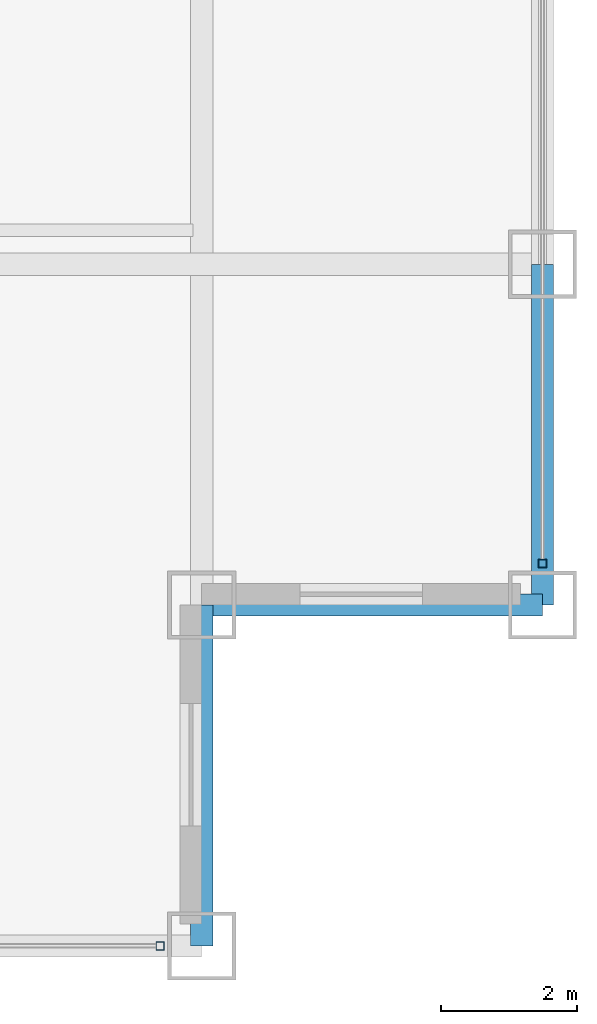
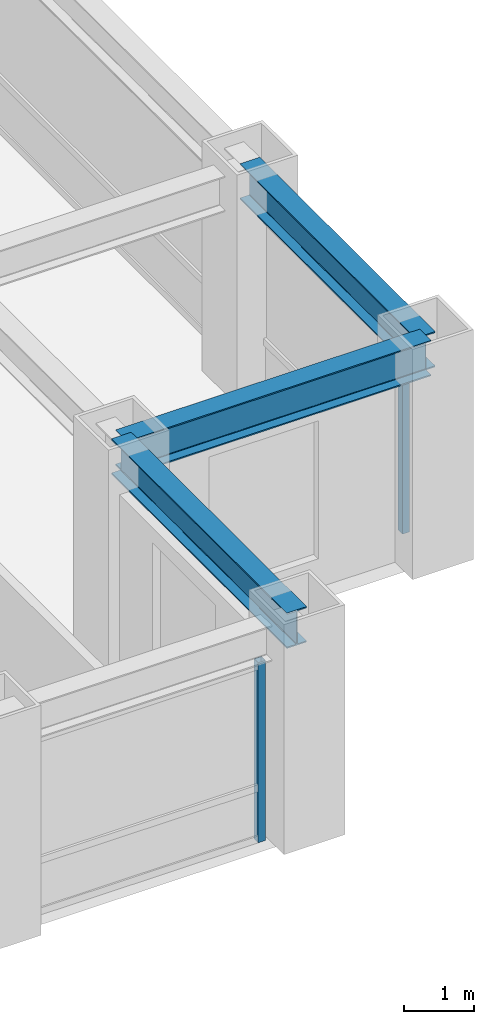
# One storey, part 8 of 25: 3 beams, 2 members, 2 elements without a shape of their own.
"""IFC4 building model written with IfcOpenShell, lengths in metres."""

from ifc_helpers import new_model, si_unit, direction, frame, origin, origin_2d, place, context, subcontext, project, spatial, hollow_rectangle, i_section, extrude, source, transform, mapped, material, material_profile, profile_set, type_object, element, aggregate, save


model = new_model("IFC4")

# Units and contexts
model_context = context("Model", 3, precision=1e-05, world=origin(), true_north=direction((0.0, 1.0)))
body_context = subcontext(model_context, "Body", "Model", "MODEL_VIEW")
ifc_project = project(units=[si_unit("LENGTHUNIT", "METRE"), si_unit("AREAUNIT", "SQUARE_METRE"), si_unit("VOLUMEUNIT", "CUBIC_METRE"), si_unit("PLANEANGLEUNIT", "RADIAN"), si_unit("MASSUNIT", "GRAM", prefix="KILO")], contexts=[model_context])

# Site, building, storey
site_placement = place(None, origin())
site = spatial("IfcSite", under=ifc_project, at=site_placement, CompositionType="ELEMENT")
building_placement = place(site_placement, origin())
building = spatial("IfcBuilding", under=site, at=building_placement, Name="Khorayat Bourse Tower", CompositionType="ELEMENT")
storey_placement = place(building_placement, frame((0.0, 0.0, 231.10009765625)))
storey = spatial("IfcBuildingStorey", under=building, at=storey_placement, Name="L54", CompositionType="ELEMENT", Elevation=231.10009765625)

# Beams
ifc_material_1 = material(Name="Steel ASTM A992 Grade 50", Category="steel")
ifc_material_profile_1 = material_profile(ifc_material_1, i_section(OverallWidth=0.324951171875, OverallDepth=0.615966796875, WebThickness=0.013916015625, FlangeThickness=0.021484375, FilletRadius=0.01611328125, at=origin_2d()), Name="W610X174")
ifc_profile_set_1 = profile_set([ifc_material_profile_1], Name="Steel ASTM A992 Grade 50")
beam_type = type_object("IfcBeamType", Name="BM-SPAN-610", PredefinedType="SPANDREL", material=ifc_profile_set_1)
shared_shape_1 = source(origin(), body_context, "Body", "SweptSolid", [
    extrude(i_section(OverallWidth=0.324951171875, OverallDepth=0.615966796875, WebThickness=0.013916015625, FlangeThickness=0.021484375, FilletRadius=0.01611328125, at=origin_2d()), origin(), (0.0, 0.0, 1.0), 5.0),
])
for number, where, z_axis, x_axis, name in (
    (1, (25.0, -30.0, 3.471923828125), (0.0, 1.0, 0.0), (-1.0, 0.0, 0.0), "L54 BM-SPAN-610 BM-L54-SPN-032"),
    (2, (25.0, -25.0, 3.471923828125), (1.0, 0.0, 0.0), (0.0, 1.0, 0.0), "L54 BM-SPAN-610 BM-L54-SPN-033"),
    (3, (30.0, -25.0, 3.471923828125), (0.0, 1.0, 0.0), (-1.0, 0.0, 0.0), "L54 BM-SPAN-610 BM-L54-SPN-034"),
):
    element("IfcBeam", number, at=place(storey_placement, frame(where, z_axis=z_axis, x_axis=x_axis)), inside=storey, type_object=beam_type, Name=name, PredefinedType="SPANDREL", context=body_context, shape_type="MappedRepresentation", body=[
        mapped(shared_shape_1, transform((0.0, 0.0, 0.0), scale=1.0)),
    ])

# Curtain wall, member
ifc_material_2 = material(Name="Aluminium EN AW-6063 T6", Category="aluminium")
curtain_wall_type = type_object("IfcCurtainWallType", Name="CW-SYS-03", PredefinedType="NOTDEFINED", material=ifc_material_2)
curtain_wall_1_placement = place(storey_placement, origin())
curtain_wall_1 = element("IfcCurtainWall", 4, at=curtain_wall_1_placement, inside=storey, type_object=curtain_wall_type, Name="L54 Curtain Wall CW-L54-S1", PredefinedType="NOTDEFINED")
ifc_material_profile_2 = material_profile(ifc_material_2, hollow_rectangle(XDim=0.1201171875, YDim=0.1201171875, WallThickness=0.0048828125, at=origin_2d()), Name="ALU 120x120x5")
ifc_profile_set_2 = profile_set([ifc_material_profile_2], Name="Aluminium EN AW-6063 T6")
member_type = type_object("IfcMemberType", Name="CWM-VERT-120", PredefinedType="MULLION", material=ifc_profile_set_2)
shared_shape_2 = source(origin(), body_context, "Body", "SweptSolid", [
    extrude(hollow_rectangle(XDim=0.1201171875, YDim=0.1201171875, WallThickness=0.0048828125, at=origin_2d()), origin(), (0.0, 0.0, 1.0), 3.1298828125),
])
member_1_placement = place(storey_placement, frame((24.389892578125, -30.0, 0.0), z_axis=(0.0, 0.0, 1.0), x_axis=(0.0, 1.0, 0.0)))
member_1 = element("IfcMember", 5, at=member_1_placement, type_object=member_type, Name="CW-L54-S1 Vertical Mullion 3", PredefinedType="MULLION", context=body_context, shape_type="MappedRepresentation", body=[
    mapped(shared_shape_2, transform((0.0, 0.0, 0.0), scale=1.0)),
])
aggregate(curtain_wall_1, [member_1])

curtain_wall_2_placement = place(storey_placement, origin())
curtain_wall_2 = element("IfcCurtainWall", 6, at=curtain_wall_2_placement, inside=storey, type_object=curtain_wall_type, Name="L54 Curtain Wall CW-L54-E1", PredefinedType="NOTDEFINED")
member_2_placement = place(storey_placement, frame((30.0, -24.389892578125, 0.0), z_axis=(0.0, 0.0, 1.0), x_axis=(-1.0, 0.0, 0.0)))
member_2 = element("IfcMember", 7, at=member_2_placement, type_object=member_type, Name="CW-L54-E1 Vertical Mullion 1", PredefinedType="MULLION", context=body_context, shape_type="MappedRepresentation", body=[
    mapped(shared_shape_2, transform((0.0, 0.0, 0.0), scale=1.0)),
])
aggregate(curtain_wall_2, [member_2])

save(model, "model.ifc")
